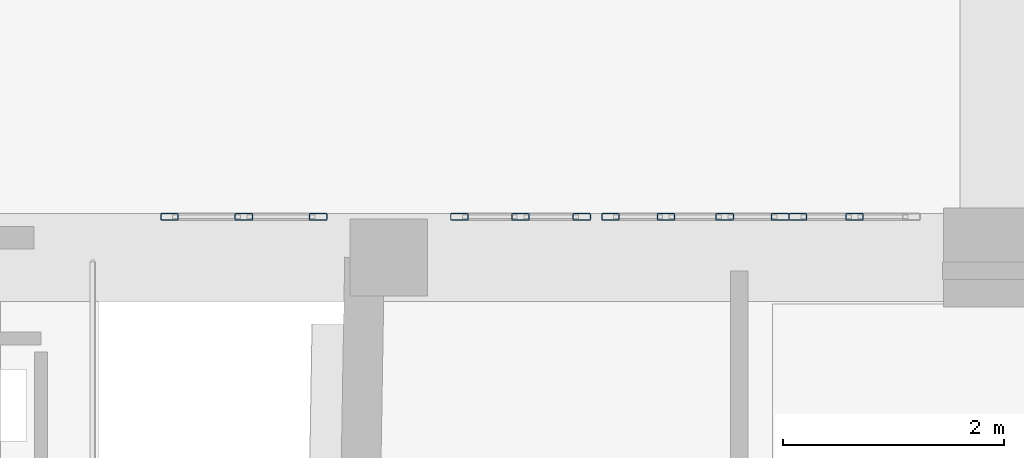
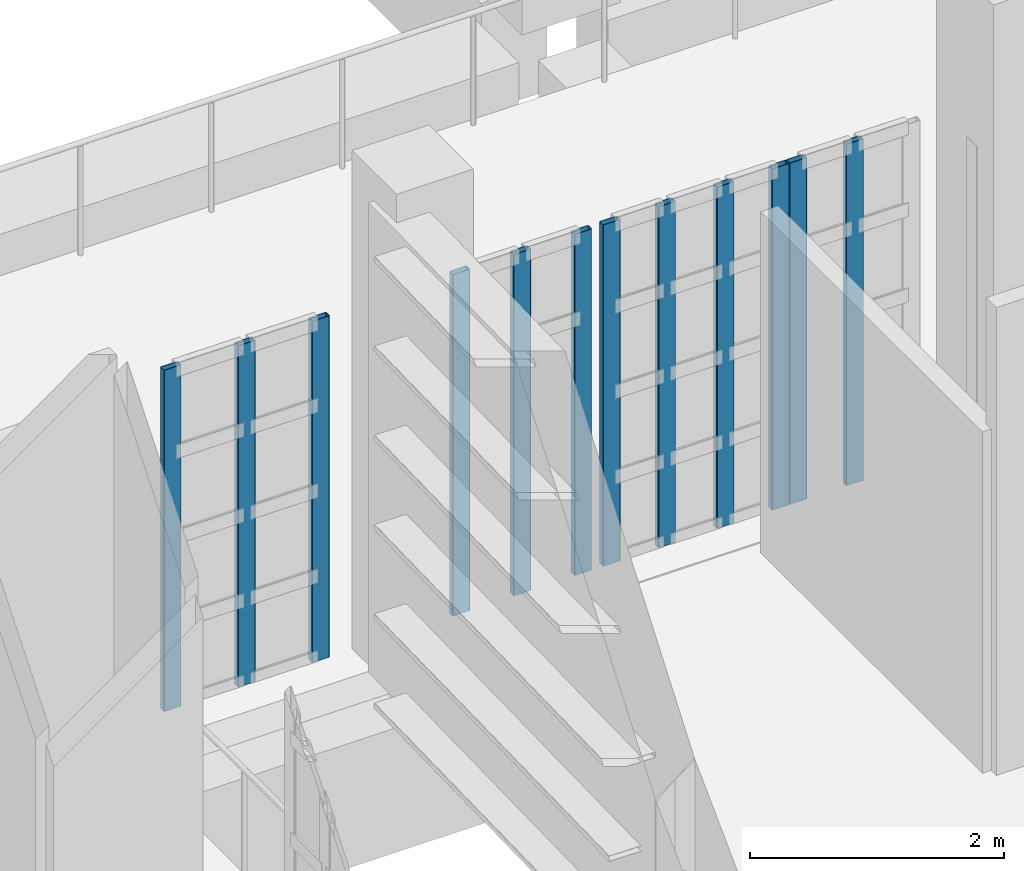
# One storey, part 37 of 104: 12 members, 4 elements without a shape of their own.
"""IFC4 building model written with IfcOpenShell, lengths in metres."""

from ifc_helpers import new_model, si_unit, direction, frame, origin, origin_2d, place, context, subcontext, project, spatial, hollow_rectangle, extrude, material, material_profile, profile_set, type_object, element, aggregate, save


model = new_model("IFC4")

# Units and contexts
model_context = context("Model", 3, precision=1e-05, world=origin(), true_north=direction((0.0, 1.0)))
body_context = subcontext(model_context, "Body", "Model", "MODEL_VIEW")
ifc_project = project(units=[si_unit("LENGTHUNIT", "METRE"), si_unit("AREAUNIT", "SQUARE_METRE"), si_unit("VOLUMEUNIT", "CUBIC_METRE"), si_unit("PLANEANGLEUNIT", "RADIAN"), si_unit("MASSUNIT", "GRAM", prefix="KILO")], contexts=[model_context])

# Site, building, storey
site_placement = place(None, origin())
site = spatial("IfcSite", under=ifc_project, at=site_placement, CompositionType="ELEMENT")
building_placement = place(site_placement, origin())
building = spatial("IfcBuilding", under=site, at=building_placement, Name="Kaelora Sail Theatre", CompositionType="ELEMENT")
storey_placement = place(building_placement, frame((0.0, 0.0, 5.39990234375)))
storey = spatial("IfcBuildingStorey", under=building, at=storey_placement, Name="L01", CompositionType="ELEMENT", Elevation=5.39990234375)

# Curtain wall, members
ifc_material_1 = material(Name="Anodised aluminium and solar-control low-E IGU", Category="aluminium")
curtain_wall_type = type_object("IfcCurtainWallType", Name="ARC-CW-CW-FOY2", PredefinedType="NOTDEFINED", material=ifc_material_1)
curtain_wall_1_placement = place(storey_placement, origin())
curtain_wall_1 = element("IfcCurtainWall", 1, at=curtain_wall_1_placement, inside=storey, type_object=curtain_wall_type, Name="Glazed Foyer/Conservatory Curtain Wall FC1-S-L01-01", PredefinedType="NOTDEFINED")
ifc_material_2 = material(Name="Anodised aluminium 6063-T6", Category="aluminium")
ifc_material_profile = material_profile(ifc_material_2, hollow_rectangle(XDim=0.06005859375, YDim=0.159912109375, WallThickness=0.00390625, InnerFilletRadius=0.00390625, OuterFilletRadius=0.008056640625, at=origin_2d()), Name="ALU-MULL 60x160x4")
ifc_profile_set = profile_set([ifc_material_profile], Name="Anodised aluminium 6063-T6")
member_type = type_object("IfcMemberType", Name="ARC-MEM-ML-160", PredefinedType="MULLION", material=ifc_profile_set)
member_1_placement = place(storey_placement, frame((75.030029296875, 61.389892578125, 0.0), z_axis=(0.0, 0.0, 1.0), x_axis=(0.0, 1.0, 0.0)))
member_1 = element("IfcMember", 2, at=member_1_placement, type_object=member_type, Name="CW-FOY2 mullion 1", PredefinedType="MULLION", context=body_context, shape_type="SweptSolid", body=[
    extrude(hollow_rectangle(XDim=0.06005859375, YDim=0.159912109375, WallThickness=0.00390625, InnerFilletRadius=0.00390625, OuterFilletRadius=0.008056640625, at=origin_2d()), origin(), (0.0, 0.0, 1.0), 3.287109375),
])
member_2_placement = place(storey_placement, frame((75.705078125, 61.389892578125, 0.0), z_axis=(0.0, 0.0, 1.0), x_axis=(0.0, 1.0, 0.0)))
member_2 = element("IfcMember", 3, at=member_2_placement, type_object=member_type, Name="CW-FOY2 mullion 2", PredefinedType="MULLION", context=body_context, shape_type="SweptSolid", body=[
    extrude(hollow_rectangle(XDim=0.06005859375, YDim=0.159912109375, WallThickness=0.00390625, InnerFilletRadius=0.00390625, OuterFilletRadius=0.008056640625, at=origin_2d()), origin(), (0.0, 0.0, 1.0), 3.287109375),
])
member_3_placement = place(storey_placement, frame((76.3798828125, 61.389892578125, 0.0), z_axis=(0.0, 0.0, 1.0), x_axis=(0.0, 1.0, 0.0)))
member_3 = element("IfcMember", 4, at=member_3_placement, type_object=member_type, Name="CW-FOY2 mullion 3", PredefinedType="MULLION", context=body_context, shape_type="SweptSolid", body=[
    extrude(hollow_rectangle(XDim=0.06005859375, YDim=0.159912109375, WallThickness=0.00390625, InnerFilletRadius=0.00390625, OuterFilletRadius=0.008056640625, at=origin_2d()), origin(), (0.0, 0.0, 1.0), 3.287109375),
])
aggregate(curtain_wall_1, [member_1, member_2, member_3])

curtain_wall_2_placement = place(storey_placement, origin())
curtain_wall_2 = element("IfcCurtainWall", 5, at=curtain_wall_2_placement, inside=storey, type_object=curtain_wall_type, Name="Glazed Foyer/Conservatory Curtain Wall FC1-S-L01-02", PredefinedType="NOTDEFINED")
member_4_placement = place(storey_placement, frame((77.659912109375, 61.389892578125, 0.0), z_axis=(0.0, 0.0, 1.0), x_axis=(0.0, 1.0, 0.0)))
member_4 = element("IfcMember", 6, at=member_4_placement, type_object=member_type, Name="CW-FOY2 mullion 1", PredefinedType="MULLION", context=body_context, shape_type="SweptSolid", body=[
    extrude(hollow_rectangle(XDim=0.06005859375, YDim=0.159912109375, WallThickness=0.00390625, InnerFilletRadius=0.00390625, OuterFilletRadius=0.008056640625, at=origin_2d()), origin(), (0.0, 0.0, 1.0), 3.287109375),
])
member_5_placement = place(storey_placement, frame((78.215087890625, 61.389892578125, 0.0), z_axis=(0.0, 0.0, 1.0), x_axis=(0.0, 1.0, 0.0)))
member_5 = element("IfcMember", 7, at=member_5_placement, type_object=member_type, Name="CW-FOY2 mullion 2", PredefinedType="MULLION", context=body_context, shape_type="SweptSolid", body=[
    extrude(hollow_rectangle(XDim=0.06005859375, YDim=0.159912109375, WallThickness=0.00390625, InnerFilletRadius=0.00390625, OuterFilletRadius=0.008056640625, at=origin_2d()), origin(), (0.0, 0.0, 1.0), 3.287109375),
])
member_6_placement = place(storey_placement, frame((78.77001953125, 61.389892578125, 0.0), z_axis=(0.0, 0.0, 1.0), x_axis=(0.0, 1.0, 0.0)))
member_6 = element("IfcMember", 8, at=member_6_placement, type_object=member_type, Name="CW-FOY2 mullion 3", PredefinedType="MULLION", context=body_context, shape_type="SweptSolid", body=[
    extrude(hollow_rectangle(XDim=0.06005859375, YDim=0.159912109375, WallThickness=0.00390625, InnerFilletRadius=0.00390625, OuterFilletRadius=0.008056640625, at=origin_2d()), origin(), (0.0, 0.0, 1.0), 3.287109375),
])
aggregate(curtain_wall_2, [member_4, member_5, member_6])

curtain_wall_3_placement = place(storey_placement, origin())
curtain_wall_3 = element("IfcCurtainWall", 9, at=curtain_wall_3_placement, inside=storey, type_object=curtain_wall_type, Name="Glazed Foyer/Conservatory Curtain Wall FC1-S-L01-03", PredefinedType="NOTDEFINED")
member_7_placement = place(storey_placement, frame((79.030029296875, 61.389892578125, 0.0), z_axis=(0.0, 0.0, 1.0), x_axis=(0.0, 1.0, 0.0)))
member_7 = element("IfcMember", 10, at=member_7_placement, type_object=member_type, Name="CW-FOY2 mullion 1", PredefinedType="MULLION", context=body_context, shape_type="SweptSolid", body=[
    extrude(hollow_rectangle(XDim=0.06005859375, YDim=0.159912109375, WallThickness=0.00390625, InnerFilletRadius=0.00390625, OuterFilletRadius=0.008056640625, at=origin_2d()), origin(), (0.0, 0.0, 1.0), 3.287109375),
])
member_8_placement = place(storey_placement, frame((79.533447265625, 61.389892578125, 0.0), z_axis=(0.0, 0.0, 1.0), x_axis=(0.0, 1.0, 0.0)))
member_8 = element("IfcMember", 11, at=member_8_placement, type_object=member_type, Name="CW-FOY2 mullion 2", PredefinedType="MULLION", context=body_context, shape_type="SweptSolid", body=[
    extrude(hollow_rectangle(XDim=0.06005859375, YDim=0.159912109375, WallThickness=0.00390625, InnerFilletRadius=0.00390625, OuterFilletRadius=0.008056640625, at=origin_2d()), origin(), (0.0, 0.0, 1.0), 3.287109375),
])
member_9_placement = place(storey_placement, frame((80.066650390625, 61.389892578125, 0.0), z_axis=(0.0, 0.0, 1.0), x_axis=(0.0, 1.0, 0.0)))
member_9 = element("IfcMember", 12, at=member_9_placement, type_object=member_type, Name="CW-FOY2 mullion 3", PredefinedType="MULLION", context=body_context, shape_type="SweptSolid", body=[
    extrude(hollow_rectangle(XDim=0.06005859375, YDim=0.159912109375, WallThickness=0.00390625, InnerFilletRadius=0.00390625, OuterFilletRadius=0.008056640625, at=origin_2d()), origin(), (0.0, 0.0, 1.0), 3.287109375),
])
member_10_placement = place(storey_placement, frame((80.570068359375, 61.389892578125, 0.0), z_axis=(0.0, 0.0, 1.0), x_axis=(0.0, 1.0, 0.0)))
member_10 = element("IfcMember", 13, at=member_10_placement, type_object=member_type, Name="CW-FOY2 mullion 4", PredefinedType="MULLION", context=body_context, shape_type="SweptSolid", body=[
    extrude(hollow_rectangle(XDim=0.06005859375, YDim=0.159912109375, WallThickness=0.00390625, InnerFilletRadius=0.00390625, OuterFilletRadius=0.008056640625, at=origin_2d()), origin(), (0.0, 0.0, 1.0), 3.287109375),
])
aggregate(curtain_wall_3, [member_7, member_8, member_9, member_10])

curtain_wall_4_placement = place(storey_placement, origin())
curtain_wall_4 = element("IfcCurtainWall", 14, at=curtain_wall_4_placement, inside=storey, type_object=curtain_wall_type, Name="Glazed Foyer/Conservatory Curtain Wall FC1-S-L01-04", PredefinedType="NOTDEFINED")
member_11_placement = place(storey_placement, frame((80.72998046875, 61.389892578125, 0.0), z_axis=(0.0, 0.0, 1.0), x_axis=(0.0, 1.0, 0.0)))
member_11 = element("IfcMember", 15, at=member_11_placement, type_object=member_type, Name="CW-FOY2 mullion 1", PredefinedType="MULLION", context=body_context, shape_type="SweptSolid", body=[
    extrude(hollow_rectangle(XDim=0.06005859375, YDim=0.159912109375, WallThickness=0.00390625, InnerFilletRadius=0.00390625, OuterFilletRadius=0.008056640625, at=origin_2d()), origin(), (0.0, 0.0, 1.0), 3.287109375),
])
member_12_placement = place(storey_placement, frame((81.2451171875, 61.389892578125, 0.0), z_axis=(0.0, 0.0, 1.0), x_axis=(0.0, 1.0, 0.0)))
member_12 = element("IfcMember", 16, at=member_12_placement, type_object=member_type, Name="CW-FOY2 mullion 2", PredefinedType="MULLION", context=body_context, shape_type="SweptSolid", body=[
    extrude(hollow_rectangle(XDim=0.06005859375, YDim=0.159912109375, WallThickness=0.00390625, InnerFilletRadius=0.00390625, OuterFilletRadius=0.008056640625, at=origin_2d()), origin(), (0.0, 0.0, 1.0), 3.287109375),
])
aggregate(curtain_wall_4, [member_11, member_12])

save(model, "model.ifc")
